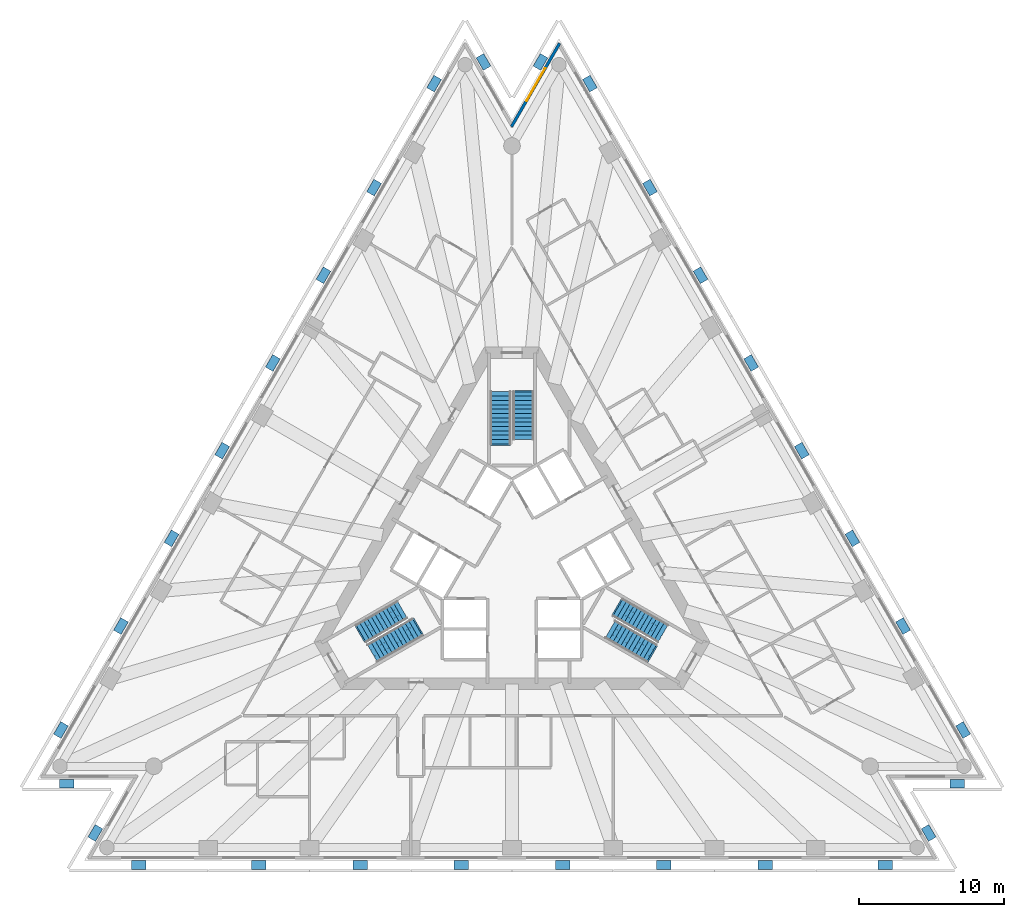
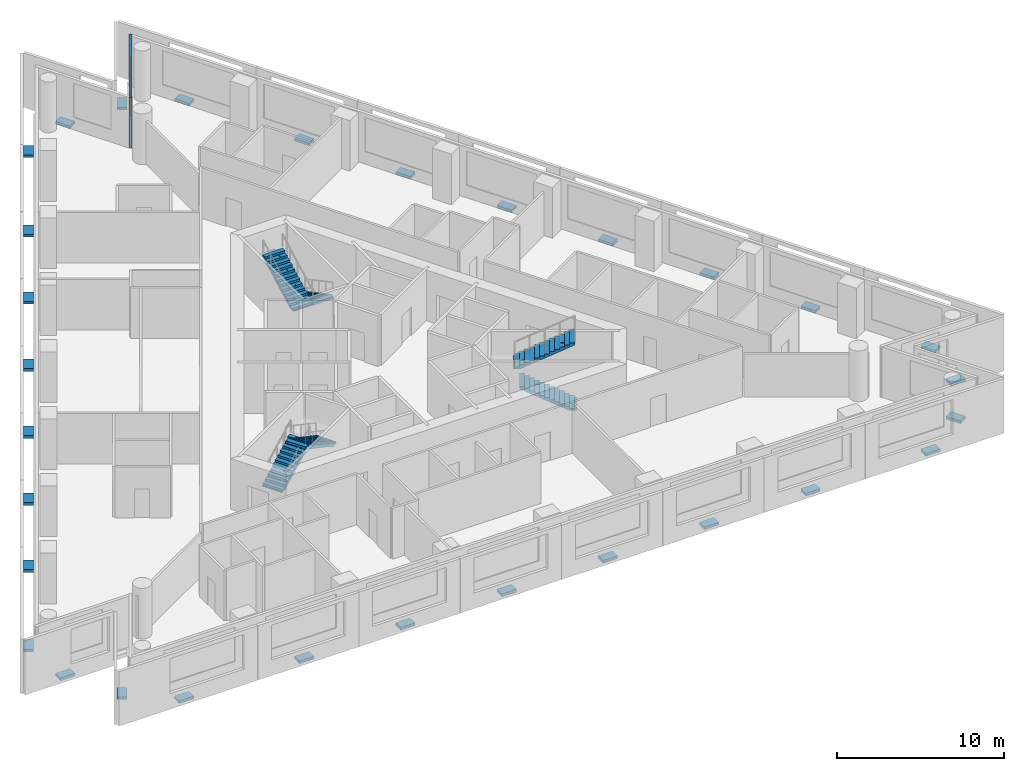
# One storey, part 8 of 10: 30 discrete accessories, 6 stair flights, 1 wall, 1 window, 1 opening, 3 elements without a shape of their own.
"""IFC4 building model written with IfcOpenShell, lengths in metres."""

from ifc_helpers import new_model, si_unit, direction, frame, frame_2d, origin, origin_2d, place, context, subcontext, project, spatial, polyline, rectangle, outline, extrude, material, layer, layer_set, layer_usage, type_object, element, fill, aggregate, save


model = new_model("IFC4")

# Units and contexts
model_context = context("Model", 3, precision=1e-05, world=origin(), true_north=direction((0.0, 1.0)))
body_context = subcontext(model_context, "Body", "Model", "MODEL_VIEW")
ifc_project = project(units=[si_unit("LENGTHUNIT", "METRE"), si_unit("AREAUNIT", "SQUARE_METRE"), si_unit("VOLUMEUNIT", "CUBIC_METRE"), si_unit("PLANEANGLEUNIT", "RADIAN"), si_unit("MASSUNIT", "GRAM", prefix="KILO")], contexts=[model_context])

# Site, building, storey
site_placement = place(None, origin())
site = spatial("IfcSite", under=ifc_project, at=site_placement, CompositionType="ELEMENT")
building_placement = place(site_placement, origin())
building = spatial("IfcBuilding", under=site, at=building_placement, Name="Triada Interchange Tower", CompositionType="ELEMENT")
storey_placement = place(building_placement, frame((0.0, 0.0, 108.300048828125)))
storey = spatial("IfcBuildingStorey", under=building, at=storey_placement, Name="L24", CompositionType="ELEMENT", Elevation=108.300048828125)

# Wall, opening, window
ifc_material_1 = material(Name="Cement board")
ifc_layer_1 = layer(ifc_material_1, 0.02001953125, Name="Cement board cladding")
ifc_material_2 = material(Name="Sheathing board")
ifc_layer_2 = layer(ifc_material_2, 0.014892578125, Name="Sheathing board")
ifc_material_3 = material(Name="Mineral wool")
ifc_layer_3 = layer(ifc_material_3, 0.14990234375, Name="Mineral wool between steel studs")
ifc_material_4 = material(Name="Gypsum board")
ifc_layer_4 = layer(ifc_material_4, 0.014892578125, Name="Plasterboard lining")
ifc_layer_set = layer_set([ifc_layer_1, ifc_layer_2, ifc_layer_3, ifc_layer_4], Name="External wall 200")
ifc_layer_usage = layer_usage(ifc_layer_set, "AXIS2", "POSITIVE", -0.10009765625)
wall_type = type_object("IfcWallType", Name="External wall 200", PredefinedType="ELEMENTEDWALL", material=ifc_layer_set)
wall_placement = place(storey_placement, frame((3.2900390625, 35.69091796875, 0.0), z_axis=(0.0, 0.0, 1.0), x_axis=(-0.49999681972, -0.866027239912, 0.0)))
wall = element("IfcWall", 1, at=wall_placement, inside=storey, type_object=wall_type, material=ifc_layer_usage, Name="External wall L24 N-1", PredefinedType="ELEMENTEDWALL", context=body_context, shape_type="SweptSolid", body=[
    extrude(rectangle(XDim=6.64990234375, YDim=0.199951171875, at=frame_2d((3.324951171875, 0.0))), origin(), (0.0, 0.0, 1.0), 3.699951171875),
])
opening_placement = place(wall_placement, frame((1.989990234375, 0.0, 0.89990234375)))
opening = element("IfcOpeningElement", 2, at=opening_placement, cuts=wall, Name="Opening WB29", PredefinedType="OPENING", context=body_context, shape_type="SweptSolid", body=[
    extrude(rectangle(XDim=2.60009765625, YDim=2.5, at=frame_2d((1.300048828125, 1.25))), frame((0.0, 0.10986328125, 0.0), z_axis=(0.0, -1.0, 0.0), x_axis=(1.0, 0.0, 0.0)), (0.0, 0.0, 1.0), 0.219970703125),
])
ifc_material_5 = material(Name="Double glazed aluminium window", Category="aluminium")
window_type = type_object("IfcWindowType", Name="Ribbon window B pocket", PartitioningType="SINGLE_PANEL", PredefinedType="WINDOW", material=ifc_material_5)
window_placement = place(opening_placement, origin())
window = element("IfcWindow", 3, at=window_placement, inside=storey, type_object=window_type, Name="Window L24 N-1 1", OverallHeight=2.5, OverallWidth=2.60009765625, PartitioningType="SINGLE_PANEL", PredefinedType="WINDOW", context=body_context, shape_type="SweptSolid", body=[
    extrude(rectangle(XDim=2.60009765625, YDim=2.5, at=frame_2d((1.300048828125, 1.25))), frame((0.0, 0.030029296875, 0.0), z_axis=(0.0, -1.0, 0.0), x_axis=(1.0, 0.0, 0.0)), (0.0, 0.0, 1.0), 0.06005859375),
])
fill(opening, window)

# Stair, stair flights
ifc_material_6 = material(Name="Concrete C35/45", Category="concrete")
stair_type = type_object("IfcStairType", Name="HALF TURN STAIR 1400", PredefinedType="HALF_TURN_STAIR", material=ifc_material_6)
stair_1_placement = place(storey_placement, origin())
stair_1 = element("IfcStair", 4, at=stair_1_placement, inside=storey, type_object=stair_type, Name="Exit stair S23-1", PredefinedType="HALF_TURN_STAIR")
stair_flight_type = type_object("IfcStairFlightType", Name="STRAIGHT STAIR FLIGHT 1400", PredefinedType="STRAIGHT", material=ifc_material_6)
stair_flight_1_placement = place(storey_placement, frame((0.800048828125, 11.60009765625, 0.0), z_axis=(0.0, 0.0, 1.0), x_axis=(0.0, -1.0, 0.0)))
stair_flight_1 = element("IfcStairFlight", 5, at=stair_flight_1_placement, type_object=stair_flight_type, Name="S23-1 flight 1", NumberOfRisers=12, NumberOfTreads=11, PredefinedType="STRAIGHT", RiserHeight=0.16, TreadLength=0.3, context=body_context, shape_type="SweptSolid", body=[
    extrude(outline(polyline([(-0.10009765625, 0.0), (-0.10009765625, 0.02001953125), (0.0, 0.02001953125), (0.0, 0.159912109375), (0.300048828125, 0.159912109375), (0.300048828125, 0.320068359375), (0.60009765625, 0.320068359375), (0.60009765625, 0.47998046875), (0.89990234375, 0.47998046875), (0.89990234375, 0.639892578125), (1.199951171875, 0.639892578125), (1.199951171875, 0.800048828125), (1.5, 0.800048828125), (1.5, 0.9599609375), (1.800048828125, 0.9599609375), (1.800048828125, 1.1201171875), (2.10009765625, 1.1201171875), (2.10009765625, 1.280029296875), (2.39990234375, 1.280029296875), (2.39990234375, 1.43994140625), (2.699951171875, 1.43994140625), (2.699951171875, 1.60009765625), (3.0, 1.60009765625), (3.0, 1.760009765625), (3.300048828125, 1.760009765625), (3.303955078125, 1.760009765625), (3.303955078125, 1.919921875), (3.303955078125, 1.590087890625), (0.318603515625, 0.0), (-0.10009765625, 0.0)])), frame((0.0, 0.699951171875, 0.0), z_axis=(0.0, -1.0, 0.0), x_axis=(1.0, 0.0, 0.0)), (0.0, 0.0, 1.0), 0.46533203125),
    extrude(outline(polyline([(-0.10009765625, 0.0), (-0.10009765625, 0.02001953125), (0.0, 0.02001953125), (0.0, 0.159912109375), (0.300048828125, 0.159912109375), (0.300048828125, 0.320068359375), (0.60009765625, 0.320068359375), (0.60009765625, 0.47998046875), (0.89990234375, 0.47998046875), (0.89990234375, 0.639892578125), (1.199951171875, 0.639892578125), (1.199951171875, 0.800048828125), (1.5, 0.800048828125), (1.5, 0.9599609375), (1.800048828125, 0.9599609375), (1.800048828125, 1.1201171875), (2.10009765625, 1.1201171875), (2.10009765625, 1.280029296875), (2.39990234375, 1.280029296875), (2.39990234375, 1.43994140625), (2.699951171875, 1.43994140625), (2.699951171875, 1.60009765625), (3.0, 1.60009765625), (3.0, 1.760009765625), (3.300048828125, 1.760009765625), (3.303955078125, 1.760009765625), (3.303955078125, 1.919921875), (3.303955078125, 1.590087890625), (0.318603515625, 0.0), (-0.10009765625, 0.0)])), frame((0.0, 0.232666015625, 0.0), z_axis=(0.0, -1.0, 0.0), x_axis=(1.0, 0.0, 0.0)), (0.0, 0.0, 1.0), 0.46533203125),
    extrude(outline(polyline([(-0.10009765625, 0.0), (-0.10009765625, 0.02001953125), (0.0, 0.02001953125), (0.0, 0.159912109375), (0.300048828125, 0.159912109375), (0.300048828125, 0.320068359375), (0.60009765625, 0.320068359375), (0.60009765625, 0.47998046875), (0.89990234375, 0.47998046875), (0.89990234375, 0.639892578125), (1.199951171875, 0.639892578125), (1.199951171875, 0.800048828125), (1.5, 0.800048828125), (1.5, 0.9599609375), (1.800048828125, 0.9599609375), (1.800048828125, 1.1201171875), (2.10009765625, 1.1201171875), (2.10009765625, 1.280029296875), (2.39990234375, 1.280029296875), (2.39990234375, 1.43994140625), (2.699951171875, 1.43994140625), (2.699951171875, 1.60009765625), (3.0, 1.60009765625), (3.0, 1.760009765625), (3.300048828125, 1.760009765625), (3.303955078125, 1.760009765625), (3.303955078125, 1.919921875), (3.303955078125, 1.590087890625), (0.318603515625, 0.0), (-0.10009765625, 0.0)])), frame((0.0, -0.234619140625, 0.0), z_axis=(0.0, -1.0, 0.0), x_axis=(1.0, 0.0, 0.0)), (0.0, 0.0, 1.0), 0.46533203125),
])
stair_flight_2_placement = place(storey_placement, frame((-0.800048828125, 8.0, 1.919921875), z_axis=(0.0, 0.0, 1.0), x_axis=(0.0, 1.0, 0.0)))
stair_flight_2 = element("IfcStairFlight", 6, at=stair_flight_2_placement, type_object=stair_flight_type, Name="S23-1 flight 2", NumberOfRisers=13, NumberOfTreads=12, PredefinedType="STRAIGHT", RiserHeight=0.16, TreadLength=0.3, context=body_context, shape_type="SweptSolid", body=[
    extrude(outline(polyline([(-0.10009765625, 0.0), (-0.10009765625, 0.02001953125), (0.0, 0.02001953125), (0.0, 0.159912109375), (0.300048828125, 0.159912109375), (0.300048828125, 0.320068359375), (0.60009765625, 0.320068359375), (0.60009765625, 0.47998046875), (0.89990234375, 0.47998046875), (0.89990234375, 0.639892578125), (1.199951171875, 0.639892578125), (1.199951171875, 0.800048828125), (1.5, 0.800048828125), (1.5, 0.9599609375), (1.800048828125, 0.9599609375), (1.800048828125, 1.1201171875), (2.10009765625, 1.1201171875), (2.10009765625, 1.280029296875), (2.39990234375, 1.280029296875), (2.39990234375, 1.43994140625), (2.699951171875, 1.43994140625), (2.699951171875, 1.60009765625), (3.0, 1.60009765625), (3.0, 1.760009765625), (3.300048828125, 1.760009765625), (3.300048828125, 1.919921875), (3.60009765625, 1.919921875), (3.60400390625, 1.919921875), (3.60400390625, 2.080078125), (3.60400390625, 1.75), (0.318603515625, 0.0), (-0.10009765625, 0.0)])), frame((0.0, 0.699951171875, 0.0), z_axis=(0.0, -1.0, 0.0), x_axis=(1.0, 0.0, 0.0)), (0.0, 0.0, 1.0), 0.46533203125),
    extrude(outline(polyline([(-0.10009765625, 0.0), (-0.10009765625, 0.02001953125), (0.0, 0.02001953125), (0.0, 0.159912109375), (0.300048828125, 0.159912109375), (0.300048828125, 0.320068359375), (0.60009765625, 0.320068359375), (0.60009765625, 0.47998046875), (0.89990234375, 0.47998046875), (0.89990234375, 0.639892578125), (1.199951171875, 0.639892578125), (1.199951171875, 0.800048828125), (1.5, 0.800048828125), (1.5, 0.9599609375), (1.800048828125, 0.9599609375), (1.800048828125, 1.1201171875), (2.10009765625, 1.1201171875), (2.10009765625, 1.280029296875), (2.39990234375, 1.280029296875), (2.39990234375, 1.43994140625), (2.699951171875, 1.43994140625), (2.699951171875, 1.60009765625), (3.0, 1.60009765625), (3.0, 1.760009765625), (3.300048828125, 1.760009765625), (3.300048828125, 1.919921875), (3.60009765625, 1.919921875), (3.60400390625, 1.919921875), (3.60400390625, 2.080078125), (3.60400390625, 1.75), (0.318603515625, 0.0), (-0.10009765625, 0.0)])), frame((0.0, 0.232666015625, 0.0), z_axis=(0.0, -1.0, 0.0), x_axis=(1.0, 0.0, 0.0)), (0.0, 0.0, 1.0), 0.46533203125),
    extrude(outline(polyline([(-0.10009765625, 0.0), (-0.10009765625, 0.02001953125), (0.0, 0.02001953125), (0.0, 0.159912109375), (0.300048828125, 0.159912109375), (0.300048828125, 0.320068359375), (0.60009765625, 0.320068359375), (0.60009765625, 0.47998046875), (0.89990234375, 0.47998046875), (0.89990234375, 0.639892578125), (1.199951171875, 0.639892578125), (1.199951171875, 0.800048828125), (1.5, 0.800048828125), (1.5, 0.9599609375), (1.800048828125, 0.9599609375), (1.800048828125, 1.1201171875), (2.10009765625, 1.1201171875), (2.10009765625, 1.280029296875), (2.39990234375, 1.280029296875), (2.39990234375, 1.43994140625), (2.699951171875, 1.43994140625), (2.699951171875, 1.60009765625), (3.0, 1.60009765625), (3.0, 1.760009765625), (3.300048828125, 1.760009765625), (3.300048828125, 1.919921875), (3.60009765625, 1.919921875), (3.60400390625, 1.919921875), (3.60400390625, 2.080078125), (3.60400390625, 1.75), (0.318603515625, 0.0), (-0.10009765625, 0.0)])), frame((0.0, -0.234619140625, 0.0), z_axis=(0.0, -1.0, 0.0), x_axis=(1.0, 0.0, 0.0)), (0.0, 0.0, 1.0), 0.46533203125),
])
aggregate(stair_1, [stair_flight_1, stair_flight_2])

stair_2_placement = place(storey_placement, origin())
stair_2 = element("IfcStair", 7, at=stair_2_placement, inside=storey, type_object=stair_type, Name="Exit stair S23-2", PredefinedType="HALF_TURN_STAIR")
stair_flight_3_placement = place(storey_placement, frame((-10.446044921875, -5.10693359375, 0.0), z_axis=(0.0, 0.0, 1.0), x_axis=(0.866025403784, 0.5, 0.0)))
stair_flight_3 = element("IfcStairFlight", 8, at=stair_flight_3_placement, type_object=stair_flight_type, Name="S23-2 flight 1", NumberOfRisers=12, NumberOfTreads=11, PredefinedType="STRAIGHT", RiserHeight=0.16, TreadLength=0.3, context=body_context, shape_type="SweptSolid", body=[
    extrude(outline(polyline([(-0.10009765625, 0.0), (-0.10009765625, 0.02001953125), (0.0, 0.02001953125), (0.0, 0.159912109375), (0.300048828125, 0.159912109375), (0.300048828125, 0.320068359375), (0.60009765625, 0.320068359375), (0.60009765625, 0.47998046875), (0.89990234375, 0.47998046875), (0.89990234375, 0.639892578125), (1.199951171875, 0.639892578125), (1.199951171875, 0.800048828125), (1.5, 0.800048828125), (1.5, 0.9599609375), (1.800048828125, 0.9599609375), (1.800048828125, 1.1201171875), (2.10009765625, 1.1201171875), (2.10009765625, 1.280029296875), (2.39990234375, 1.280029296875), (2.39990234375, 1.43994140625), (2.699951171875, 1.43994140625), (2.699951171875, 1.60009765625), (3.0, 1.60009765625), (3.0, 1.760009765625), (3.300048828125, 1.760009765625), (3.303955078125, 1.760009765625), (3.303955078125, 1.919921875), (3.303955078125, 1.590087890625), (0.318603515625, 0.0), (-0.10009765625, 0.0)])), frame((0.0, 0.699951171875, 0.0), z_axis=(0.0, -1.0, 0.0), x_axis=(1.0, 0.0, 0.0)), (0.0, 0.0, 1.0), 0.46533203125),
    extrude(outline(polyline([(-0.10009765625, 0.0), (-0.10009765625, 0.02001953125), (0.0, 0.02001953125), (0.0, 0.159912109375), (0.300048828125, 0.159912109375), (0.300048828125, 0.320068359375), (0.60009765625, 0.320068359375), (0.60009765625, 0.47998046875), (0.89990234375, 0.47998046875), (0.89990234375, 0.639892578125), (1.199951171875, 0.639892578125), (1.199951171875, 0.800048828125), (1.5, 0.800048828125), (1.5, 0.9599609375), (1.800048828125, 0.9599609375), (1.800048828125, 1.1201171875), (2.10009765625, 1.1201171875), (2.10009765625, 1.280029296875), (2.39990234375, 1.280029296875), (2.39990234375, 1.43994140625), (2.699951171875, 1.43994140625), (2.699951171875, 1.60009765625), (3.0, 1.60009765625), (3.0, 1.760009765625), (3.300048828125, 1.760009765625), (3.303955078125, 1.760009765625), (3.303955078125, 1.919921875), (3.303955078125, 1.590087890625), (0.318603515625, 0.0), (-0.10009765625, 0.0)])), frame((0.0, 0.232666015625, 0.0), z_axis=(0.0, -1.0, 0.0), x_axis=(1.0, 0.0, 0.0)), (0.0, 0.0, 1.0), 0.46533203125),
    extrude(outline(polyline([(-0.10009765625, 0.0), (-0.10009765625, 0.02001953125), (0.0, 0.02001953125), (0.0, 0.159912109375), (0.300048828125, 0.159912109375), (0.300048828125, 0.320068359375), (0.60009765625, 0.320068359375), (0.60009765625, 0.47998046875), (0.89990234375, 0.47998046875), (0.89990234375, 0.639892578125), (1.199951171875, 0.639892578125), (1.199951171875, 0.800048828125), (1.5, 0.800048828125), (1.5, 0.9599609375), (1.800048828125, 0.9599609375), (1.800048828125, 1.1201171875), (2.10009765625, 1.1201171875), (2.10009765625, 1.280029296875), (2.39990234375, 1.280029296875), (2.39990234375, 1.43994140625), (2.699951171875, 1.43994140625), (2.699951171875, 1.60009765625), (3.0, 1.60009765625), (3.0, 1.760009765625), (3.300048828125, 1.760009765625), (3.303955078125, 1.760009765625), (3.303955078125, 1.919921875), (3.303955078125, 1.590087890625), (0.318603515625, 0.0), (-0.10009765625, 0.0)])), frame((0.0, -0.234619140625, 0.0), z_axis=(0.0, -1.0, 0.0), x_axis=(1.0, 0.0, 0.0)), (0.0, 0.0, 1.0), 0.46533203125),
])
stair_flight_4_placement = place(storey_placement, frame((-6.528076171875, -4.693115234375, 1.919921875), z_axis=(0.0, 0.0, 1.0), x_axis=(-0.866025403784, -0.5, 0.0)))
stair_flight_4 = element("IfcStairFlight", 9, at=stair_flight_4_placement, type_object=stair_flight_type, Name="S23-2 flight 2", NumberOfRisers=13, NumberOfTreads=12, PredefinedType="STRAIGHT", RiserHeight=0.16, TreadLength=0.3, context=body_context, shape_type="SweptSolid", body=[
    extrude(outline(polyline([(-0.10009765625, 0.0), (-0.10009765625, 0.02001953125), (0.0, 0.02001953125), (0.0, 0.159912109375), (0.300048828125, 0.159912109375), (0.300048828125, 0.320068359375), (0.60009765625, 0.320068359375), (0.60009765625, 0.47998046875), (0.89990234375, 0.47998046875), (0.89990234375, 0.639892578125), (1.199951171875, 0.639892578125), (1.199951171875, 0.800048828125), (1.5, 0.800048828125), (1.5, 0.9599609375), (1.800048828125, 0.9599609375), (1.800048828125, 1.1201171875), (2.10009765625, 1.1201171875), (2.10009765625, 1.280029296875), (2.39990234375, 1.280029296875), (2.39990234375, 1.43994140625), (2.699951171875, 1.43994140625), (2.699951171875, 1.60009765625), (3.0, 1.60009765625), (3.0, 1.760009765625), (3.300048828125, 1.760009765625), (3.300048828125, 1.919921875), (3.60009765625, 1.919921875), (3.60400390625, 1.919921875), (3.60400390625, 2.080078125), (3.60400390625, 1.75), (0.318603515625, 0.0), (-0.10009765625, 0.0)])), frame((0.0, 0.699951171875, 0.0), z_axis=(0.0, -1.0, 0.0), x_axis=(1.0, 0.0, 0.0)), (0.0, 0.0, 1.0), 0.46533203125),
    extrude(outline(polyline([(-0.10009765625, 0.0), (-0.10009765625, 0.02001953125), (0.0, 0.02001953125), (0.0, 0.159912109375), (0.300048828125, 0.159912109375), (0.300048828125, 0.320068359375), (0.60009765625, 0.320068359375), (0.60009765625, 0.47998046875), (0.89990234375, 0.47998046875), (0.89990234375, 0.639892578125), (1.199951171875, 0.639892578125), (1.199951171875, 0.800048828125), (1.5, 0.800048828125), (1.5, 0.9599609375), (1.800048828125, 0.9599609375), (1.800048828125, 1.1201171875), (2.10009765625, 1.1201171875), (2.10009765625, 1.280029296875), (2.39990234375, 1.280029296875), (2.39990234375, 1.43994140625), (2.699951171875, 1.43994140625), (2.699951171875, 1.60009765625), (3.0, 1.60009765625), (3.0, 1.760009765625), (3.300048828125, 1.760009765625), (3.300048828125, 1.919921875), (3.60009765625, 1.919921875), (3.60400390625, 1.919921875), (3.60400390625, 2.080078125), (3.60400390625, 1.75), (0.318603515625, 0.0), (-0.10009765625, 0.0)])), frame((0.0, 0.232666015625, 0.0), z_axis=(0.0, -1.0, 0.0), x_axis=(1.0, 0.0, 0.0)), (0.0, 0.0, 1.0), 0.46533203125),
    extrude(outline(polyline([(-0.10009765625, 0.0), (-0.10009765625, 0.02001953125), (0.0, 0.02001953125), (0.0, 0.159912109375), (0.300048828125, 0.159912109375), (0.300048828125, 0.320068359375), (0.60009765625, 0.320068359375), (0.60009765625, 0.47998046875), (0.89990234375, 0.47998046875), (0.89990234375, 0.639892578125), (1.199951171875, 0.639892578125), (1.199951171875, 0.800048828125), (1.5, 0.800048828125), (1.5, 0.9599609375), (1.800048828125, 0.9599609375), (1.800048828125, 1.1201171875), (2.10009765625, 1.1201171875), (2.10009765625, 1.280029296875), (2.39990234375, 1.280029296875), (2.39990234375, 1.43994140625), (2.699951171875, 1.43994140625), (2.699951171875, 1.60009765625), (3.0, 1.60009765625), (3.0, 1.760009765625), (3.300048828125, 1.760009765625), (3.300048828125, 1.919921875), (3.60009765625, 1.919921875), (3.60400390625, 1.919921875), (3.60400390625, 2.080078125), (3.60400390625, 1.75), (0.318603515625, 0.0), (-0.10009765625, 0.0)])), frame((0.0, -0.234619140625, 0.0), z_axis=(0.0, -1.0, 0.0), x_axis=(1.0, 0.0, 0.0)), (0.0, 0.0, 1.0), 0.46533203125),
])
aggregate(stair_2, [stair_flight_3, stair_flight_4])

stair_3_placement = place(storey_placement, origin())
stair_3 = element("IfcStair", 10, at=stair_3_placement, inside=storey, type_object=stair_type, Name="Exit stair S23-3", PredefinedType="HALF_TURN_STAIR")
stair_flight_5_placement = place(storey_placement, frame((9.64599609375, -6.492919921875, 0.0), z_axis=(0.0, 0.0, 1.0), x_axis=(-0.866025403784, 0.5, 0.0)))
stair_flight_5 = element("IfcStairFlight", 11, at=stair_flight_5_placement, type_object=stair_flight_type, Name="S23-3 flight 1", NumberOfRisers=12, NumberOfTreads=11, PredefinedType="STRAIGHT", RiserHeight=0.16, TreadLength=0.3, context=body_context, shape_type="SweptSolid", body=[
    extrude(outline(polyline([(-0.10009765625, 0.0), (-0.10009765625, 0.02001953125), (0.0, 0.02001953125), (0.0, 0.159912109375), (0.300048828125, 0.159912109375), (0.300048828125, 0.320068359375), (0.60009765625, 0.320068359375), (0.60009765625, 0.47998046875), (0.89990234375, 0.47998046875), (0.89990234375, 0.639892578125), (1.199951171875, 0.639892578125), (1.199951171875, 0.800048828125), (1.5, 0.800048828125), (1.5, 0.9599609375), (1.800048828125, 0.9599609375), (1.800048828125, 1.1201171875), (2.10009765625, 1.1201171875), (2.10009765625, 1.280029296875), (2.39990234375, 1.280029296875), (2.39990234375, 1.43994140625), (2.699951171875, 1.43994140625), (2.699951171875, 1.60009765625), (3.0, 1.60009765625), (3.0, 1.760009765625), (3.300048828125, 1.760009765625), (3.303955078125, 1.760009765625), (3.303955078125, 1.919921875), (3.303955078125, 1.590087890625), (0.318603515625, 0.0), (-0.10009765625, 0.0)])), frame((0.0, 0.699951171875, 0.0), z_axis=(0.0, -1.0, 0.0), x_axis=(1.0, 0.0, 0.0)), (0.0, 0.0, 1.0), 0.46533203125),
    extrude(outline(polyline([(-0.10009765625, 0.0), (-0.10009765625, 0.02001953125), (0.0, 0.02001953125), (0.0, 0.159912109375), (0.300048828125, 0.159912109375), (0.300048828125, 0.320068359375), (0.60009765625, 0.320068359375), (0.60009765625, 0.47998046875), (0.89990234375, 0.47998046875), (0.89990234375, 0.639892578125), (1.199951171875, 0.639892578125), (1.199951171875, 0.800048828125), (1.5, 0.800048828125), (1.5, 0.9599609375), (1.800048828125, 0.9599609375), (1.800048828125, 1.1201171875), (2.10009765625, 1.1201171875), (2.10009765625, 1.280029296875), (2.39990234375, 1.280029296875), (2.39990234375, 1.43994140625), (2.699951171875, 1.43994140625), (2.699951171875, 1.60009765625), (3.0, 1.60009765625), (3.0, 1.760009765625), (3.300048828125, 1.760009765625), (3.303955078125, 1.760009765625), (3.303955078125, 1.919921875), (3.303955078125, 1.590087890625), (0.318603515625, 0.0), (-0.10009765625, 0.0)])), frame((0.0, 0.232666015625, 0.0), z_axis=(0.0, -1.0, 0.0), x_axis=(1.0, 0.0, 0.0)), (0.0, 0.0, 1.0), 0.46533203125),
    extrude(outline(polyline([(-0.10009765625, 0.0), (-0.10009765625, 0.02001953125), (0.0, 0.02001953125), (0.0, 0.159912109375), (0.300048828125, 0.159912109375), (0.300048828125, 0.320068359375), (0.60009765625, 0.320068359375), (0.60009765625, 0.47998046875), (0.89990234375, 0.47998046875), (0.89990234375, 0.639892578125), (1.199951171875, 0.639892578125), (1.199951171875, 0.800048828125), (1.5, 0.800048828125), (1.5, 0.9599609375), (1.800048828125, 0.9599609375), (1.800048828125, 1.1201171875), (2.10009765625, 1.1201171875), (2.10009765625, 1.280029296875), (2.39990234375, 1.280029296875), (2.39990234375, 1.43994140625), (2.699951171875, 1.43994140625), (2.699951171875, 1.60009765625), (3.0, 1.60009765625), (3.0, 1.760009765625), (3.300048828125, 1.760009765625), (3.303955078125, 1.760009765625), (3.303955078125, 1.919921875), (3.303955078125, 1.590087890625), (0.318603515625, 0.0), (-0.10009765625, 0.0)])), frame((0.0, -0.234619140625, 0.0), z_axis=(0.0, -1.0, 0.0), x_axis=(1.0, 0.0, 0.0)), (0.0, 0.0, 1.0), 0.46533203125),
])
stair_flight_6_placement = place(storey_placement, frame((7.327880859375, -3.306884765625, 1.919921875), z_axis=(0.0, 0.0, 1.0), x_axis=(0.866025403784, -0.5, 0.0)))
stair_flight_6 = element("IfcStairFlight", 12, at=stair_flight_6_placement, type_object=stair_flight_type, Name="S23-3 flight 2", NumberOfRisers=13, NumberOfTreads=12, PredefinedType="STRAIGHT", RiserHeight=0.16, TreadLength=0.3, context=body_context, shape_type="SweptSolid", body=[
    extrude(outline(polyline([(-0.10009765625, 0.0), (-0.10009765625, 0.02001953125), (0.0, 0.02001953125), (0.0, 0.159912109375), (0.300048828125, 0.159912109375), (0.300048828125, 0.320068359375), (0.60009765625, 0.320068359375), (0.60009765625, 0.47998046875), (0.89990234375, 0.47998046875), (0.89990234375, 0.639892578125), (1.199951171875, 0.639892578125), (1.199951171875, 0.800048828125), (1.5, 0.800048828125), (1.5, 0.9599609375), (1.800048828125, 0.9599609375), (1.800048828125, 1.1201171875), (2.10009765625, 1.1201171875), (2.10009765625, 1.280029296875), (2.39990234375, 1.280029296875), (2.39990234375, 1.43994140625), (2.699951171875, 1.43994140625), (2.699951171875, 1.60009765625), (3.0, 1.60009765625), (3.0, 1.760009765625), (3.300048828125, 1.760009765625), (3.300048828125, 1.919921875), (3.60009765625, 1.919921875), (3.60400390625, 1.919921875), (3.60400390625, 2.080078125), (3.60400390625, 1.75), (0.318603515625, 0.0), (-0.10009765625, 0.0)])), frame((0.0, 0.699951171875, 0.0), z_axis=(0.0, -1.0, 0.0), x_axis=(1.0, 0.0, 0.0)), (0.0, 0.0, 1.0), 0.46533203125),
    extrude(outline(polyline([(-0.10009765625, 0.0), (-0.10009765625, 0.02001953125), (0.0, 0.02001953125), (0.0, 0.159912109375), (0.300048828125, 0.159912109375), (0.300048828125, 0.320068359375), (0.60009765625, 0.320068359375), (0.60009765625, 0.47998046875), (0.89990234375, 0.47998046875), (0.89990234375, 0.639892578125), (1.199951171875, 0.639892578125), (1.199951171875, 0.800048828125), (1.5, 0.800048828125), (1.5, 0.9599609375), (1.800048828125, 0.9599609375), (1.800048828125, 1.1201171875), (2.10009765625, 1.1201171875), (2.10009765625, 1.280029296875), (2.39990234375, 1.280029296875), (2.39990234375, 1.43994140625), (2.699951171875, 1.43994140625), (2.699951171875, 1.60009765625), (3.0, 1.60009765625), (3.0, 1.760009765625), (3.300048828125, 1.760009765625), (3.300048828125, 1.919921875), (3.60009765625, 1.919921875), (3.60400390625, 1.919921875), (3.60400390625, 2.080078125), (3.60400390625, 1.75), (0.318603515625, 0.0), (-0.10009765625, 0.0)])), frame((0.0, 0.232666015625, 0.0), z_axis=(0.0, -1.0, 0.0), x_axis=(1.0, 0.0, 0.0)), (0.0, 0.0, 1.0), 0.46533203125),
    extrude(outline(polyline([(-0.10009765625, 0.0), (-0.10009765625, 0.02001953125), (0.0, 0.02001953125), (0.0, 0.159912109375), (0.300048828125, 0.159912109375), (0.300048828125, 0.320068359375), (0.60009765625, 0.320068359375), (0.60009765625, 0.47998046875), (0.89990234375, 0.47998046875), (0.89990234375, 0.639892578125), (1.199951171875, 0.639892578125), (1.199951171875, 0.800048828125), (1.5, 0.800048828125), (1.5, 0.9599609375), (1.800048828125, 0.9599609375), (1.800048828125, 1.1201171875), (2.10009765625, 1.1201171875), (2.10009765625, 1.280029296875), (2.39990234375, 1.280029296875), (2.39990234375, 1.43994140625), (2.699951171875, 1.43994140625), (2.699951171875, 1.60009765625), (3.0, 1.60009765625), (3.0, 1.760009765625), (3.300048828125, 1.760009765625), (3.300048828125, 1.919921875), (3.60009765625, 1.919921875), (3.60400390625, 1.919921875), (3.60400390625, 2.080078125), (3.60400390625, 1.75), (0.318603515625, 0.0), (-0.10009765625, 0.0)])), frame((0.0, -0.234619140625, 0.0), z_axis=(0.0, -1.0, 0.0), x_axis=(1.0, 0.0, 0.0)), (0.0, 0.0, 1.0), 0.46533203125),
])
aggregate(stair_3, [stair_flight_5, stair_flight_6])

# Discrete accessories
ifc_material_7 = material(Name="Steel S355", Category="steel")
discrete_accessory_type = type_object("IfcDiscreteAccessoryType", Name="Steel bracket outer skin", PredefinedType="BRACKET", material=ifc_material_7)
for number, where, z_axis, x_axis, name in (
    (13, (-5.385009765625, 32.906005859375, -0.27001953125), (0.0, 0.0, 1.0), (-0.866021965465, 0.500005955296, 0.0), "Bracket L24 01"),
    (14, (-9.535888671875, 25.718017578125, -0.27001953125), (0.0, 0.0, 1.0), (-0.866021965465, 0.500005955296, 0.0), "Bracket L24 02"),
    (15, (-13.035888671875, 19.654052734375, -0.27001953125), (0.0, 0.0, 1.0), (-0.866021965465, 0.500005955296, 0.0), "Bracket L24 03"),
    (16, (-16.537109375, 13.590087890625, -0.27001953125), (0.0, 0.0, 1.0), (-0.866021965465, 0.500005955296, 0.0), "Bracket L24 04"),
    (17, (-20.0380859375, 7.527099609375, -0.27001953125), (0.0, 0.0, 1.0), (-0.866021965465, 0.500005955296, 0.0), "Bracket L24 05"),
    (18, (-23.5390625, 1.462890625, -0.27001953125), (0.0, 0.0, 1.0), (-0.866021965465, 0.500005955296, 0.0), "Bracket L24 06"),
    (19, (-27.0400390625, -4.60107421875, -0.27001953125), (0.0, 0.0, 1.0), (-0.866021965465, 0.500005955296, 0.0), "Bracket L24 07"),
    (20, (-31.18994140625, -11.7890625, -0.27001953125), (0.0, 0.0, 1.0), (-0.866021965465, 0.500005955296, 0.0), "Bracket L24 08"),
    (21, (-30.778076171875, -15.49609375, -0.27001953125), (0.0, 0.0, 1.0), (0.0, -1.0, 0.0), "Bracket L24 09"),
    (22, (-28.80908203125, -18.906982421875, -0.27001953125), (0.0, 0.0, 1.0), (-0.866044470877, 0.499966973373, 0.0), "Bracket L24 10"),
    (23, (-25.804931640625, -21.116943359375, -0.27001953125), (0.0, 0.0, 1.0), (0.0, -1.0, 0.0), "Bracket L24 11"),
    (24, (-17.50390625, -21.116943359375, -0.27001953125), (0.0, 0.0, 1.0), (0.0, -1.0, 0.0), "Bracket L24 12"),
    (25, (-10.5029296875, -21.116943359375, -0.27001953125), (0.0, 0.0, 1.0), (0.0, -1.0, 0.0), "Bracket L24 13"),
    (26, (-3.5009765625, -21.116943359375, -0.27001953125), (0.0, 0.0, 1.0), (0.0, -1.0, 0.0), "Bracket L24 14"),
    (27, (3.5009765625, -21.116943359375, -0.27001953125), (0.0, 0.0, 1.0), (0.0, -1.0, 0.0), "Bracket L24 15"),
    (28, (10.5029296875, -21.116943359375, -0.27001953125), (0.0, 0.0, 1.0), (0.0, -1.0, 0.0), "Bracket L24 16"),
    (29, (17.50390625, -21.116943359375, -0.27001953125), (0.0, 0.0, 1.0), (0.0, -1.0, 0.0), "Bracket L24 17"),
    (30, (25.804931640625, -21.116943359375, -0.27001953125), (0.0, 0.0, 1.0), (0.0, -1.0, 0.0), "Bracket L24 18"),
    (31, (28.80908203125, -18.906982421875, -0.27001953125), (0.0, 0.0, 1.0), (0.866044470877, 0.499966973373, 0.0), "Bracket L24 19"),
    (32, (30.778076171875, -15.49609375, -0.27001953125), (0.0, 0.0, 1.0), (0.0, -1.0, 0.0), "Bracket L24 20"),
    (33, (31.18994140625, -11.7890625, -0.27001953125), (0.0, 0.0, 1.0), (0.866021965465, 0.500005955296, 0.0), "Bracket L24 21"),
    (34, (27.0400390625, -4.60107421875, -0.27001953125), (0.0, 0.0, 1.0), (0.866021965465, 0.500005955296, 0.0), "Bracket L24 22"),
    (35, (23.5390625, 1.462890625, -0.27001953125), (0.0, 0.0, 1.0), (0.866021965465, 0.500005955296, 0.0), "Bracket L24 23"),
    (36, (20.0380859375, 7.527099609375, -0.27001953125), (0.0, 0.0, 1.0), (0.866021965465, 0.500005955296, 0.0), "Bracket L24 24"),
    (37, (16.537109375, 13.590087890625, -0.27001953125), (0.0, 0.0, 1.0), (0.866021965465, 0.500005955296, 0.0), "Bracket L24 25"),
    (38, (13.035888671875, 19.654052734375, -0.27001953125), (0.0, 0.0, 1.0), (0.866021965465, 0.500005955296, 0.0), "Bracket L24 26"),
    (39, (9.535888671875, 25.718017578125, -0.27001953125), (0.0, 0.0, 1.0), (0.866021965465, 0.500005955296, 0.0), "Bracket L24 27"),
    (40, (5.385009765625, 32.906005859375, -0.27001953125), (0.0, 0.0, 1.0), (0.866021965465, 0.500005955296, 0.0), "Bracket L24 28"),
    (41, (1.968994140625, 34.403076171875, -0.27001953125), (0.0, 0.0, 1.0), (-0.866005951435, 0.500033690945, 0.0), "Bracket L24 29"),
    (42, (-1.968994140625, 34.403076171875, -0.27001953125), (0.0, 0.0, 1.0), (0.866005951435, 0.500033690945, 0.0), "Bracket L24 30"),
):
    element("IfcDiscreteAccessory", number, at=place(storey_placement, frame(where, z_axis=z_axis, x_axis=x_axis)), inside=storey, type_object=discrete_accessory_type, Name=name, PredefinedType="BRACKET", context=body_context, shape_type="SweptSolid", body=[
        extrude(rectangle(XDim=0.60009765625, YDim=1.0, at=origin_2d()), origin(), (0.0, 0.0, 1.0), 0.199951171875),
    ])

save(model, "model.ifc")
